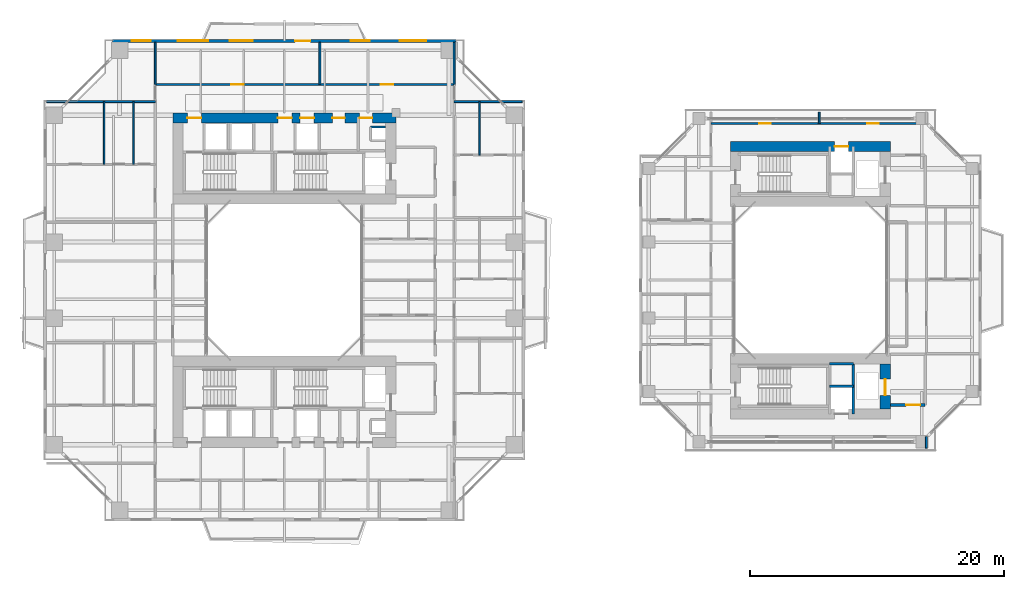
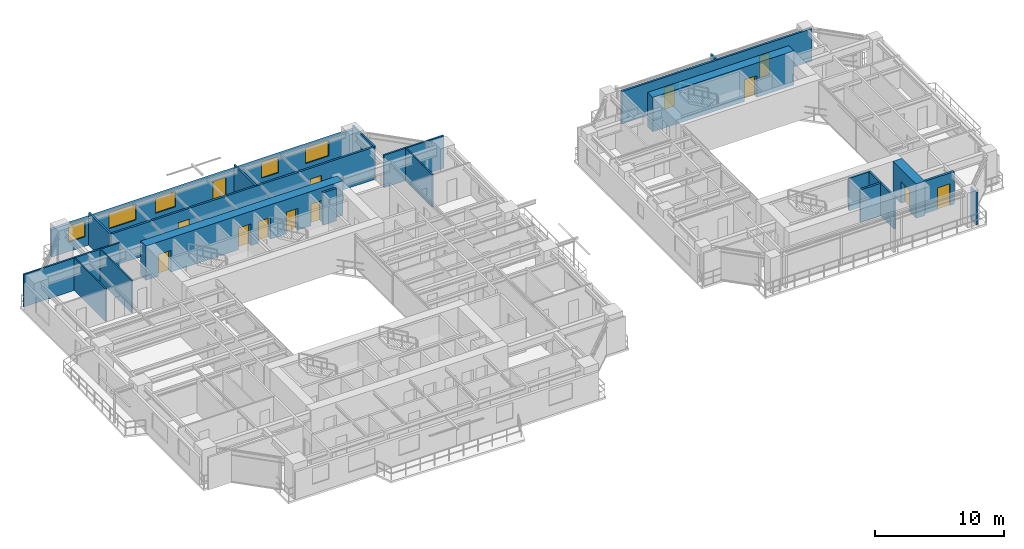
# One storey, part 17 of 24: 21 walls, 13 doors, 5 windows, 18 openings.
"""IFC4 building model written with IfcOpenShell, lengths in metres."""

from ifc_helpers import new_model, si_unit, direction, frame, frame_2d, origin, place, context, subcontext, project, spatial, rectangle, extrude, source, transform, mapped, material, layer, layer_set, type_object, element, fill, save


model = new_model("IFC4")

# Units and contexts
model_context = context("Model", 3, precision=1e-05, world=origin(), true_north=direction((0.0, 1.0)))
body_context = subcontext(model_context, "Body", "Model", "MODEL_VIEW")
ifc_project = project(units=[si_unit("LENGTHUNIT", "METRE"), si_unit("AREAUNIT", "SQUARE_METRE"), si_unit("VOLUMEUNIT", "CUBIC_METRE"), si_unit("PLANEANGLEUNIT", "RADIAN"), si_unit("MASSUNIT", "GRAM", prefix="KILO"), si_unit("THERMODYNAMICTEMPERATUREUNIT", "KELVIN"), si_unit("POWERUNIT", "WATT")], contexts=[model_context])

# Site, building, storey
site_placement = place(None, origin())
site = spatial("IfcSite", under=ifc_project, at=site_placement, CompositionType="ELEMENT")
building_placement = place(site_placement, origin())
building = spatial("IfcBuilding", under=site, at=building_placement, Name="Qiaomeng Ring Towers", CompositionType="ELEMENT")
storey_placement = place(building_placement, frame((0.0, 0.0, 56.75)))
storey = spatial("IfcBuildingStorey", under=building, at=storey_placement, Name="L15", CompositionType="ELEMENT", Elevation=56.75)

# Wall, openings, windows, door
ifc_material_1 = material(Name="Precast concrete C40", Category="concrete")
ifc_layer_1 = layer(ifc_material_1, 0.25, Name="Precast concrete C40")
ifc_layer_set_1 = layer_set([ifc_layer_1], Name="Precast concrete C40")
wall_type_1 = type_object("IfcWallType", Name="ARC-WL-EW1", PredefinedType="STANDARD", material=ifc_layer_set_1)
wall_1_placement = place(storey_placement, frame((5.449951171875, 41.875, 0.0), z_axis=(0.0, 0.0, 1.0), x_axis=(1.0, 0.0, 0.0)))
wall_1 = element("IfcWall", 1, at=wall_1_placement, inside=storey, type_object=wall_type_1, Name="L15 Tower 1 N Exterior Wall", PredefinedType="STANDARD", context=body_context, shape_type="SweptSolid", body=[
    extrude(rectangle(XDim=27.10009765625, YDim=0.25, at=frame_2d((13.550048828125, 0.0))), origin(), (0.0, 0.0, 1.0), 2.610107421875),
])
opening_1_placement = place(wall_1_placement, frame((14.39990234375, 0.0, 0.0)))
opening_1 = element("IfcOpeningElement", 2, at=opening_1_placement, cuts=wall_1, Name="Opening BD1", PredefinedType="OPENING", context=body_context, shape_type="SweptSolid", body=[
    extrude(rectangle(XDim=1.199951171875, YDim=2.10009765625, at=frame_2d((0.60009765625, 1.050048828125))), frame((0.0, 0.135009765625, 0.0), z_axis=(0.0, -1.0, 0.0), x_axis=(1.0, 0.0, 0.0)), (0.0, 0.0, 1.0), 0.27001953125),
])
opening_2_placement = place(wall_1_placement, frame((1.5, 0.0, 0.89990234375)))
opening_2 = element("IfcOpeningElement", 3, at=opening_2_placement, cuts=wall_1, Name="Opening WN2", PredefinedType="OPENING", context=body_context, shape_type="SweptSolid", body=[
    extrude(rectangle(XDim=1.5, YDim=1.5, at=frame_2d((0.75, 0.75))), frame((0.0, 0.135009765625, 0.0), z_axis=(0.0, -1.0, 0.0), x_axis=(1.0, 0.0, 0.0)), (0.0, 0.0, 1.0), 0.27001953125),
])
opening_3_placement = place(wall_1_placement, frame((9.262939453125, 0.0, 0.89990234375)))
opening_3 = element("IfcOpeningElement", 4, at=opening_3_placement, cuts=wall_1, Name="Opening WN1", PredefinedType="OPENING", context=body_context, shape_type="SweptSolid", body=[
    extrude(rectangle(XDim=1.800048828125, YDim=1.449951171875, at=frame_2d((0.89990234375, 0.72509765625))), frame((0.0, 0.135009765625, 0.0), z_axis=(0.0, -1.0, 0.0), x_axis=(1.0, 0.0, 0.0)), (0.0, 0.0, 1.0), 0.27001953125),
])
opening_4_placement = place(wall_1_placement, frame((18.77392578125, 0.0, 0.89990234375)))
opening_4 = element("IfcOpeningElement", 5, at=opening_4_placement, cuts=wall_1, Name="Opening WN2", PredefinedType="OPENING", context=body_context, shape_type="SweptSolid", body=[
    extrude(rectangle(XDim=1.5, YDim=1.5, at=frame_2d((0.75, 0.75))), frame((0.0, 0.135009765625, 0.0), z_axis=(0.0, -1.0, 0.0), x_axis=(1.0, 0.0, 0.0)), (0.0, 0.0, 1.0), 0.27001953125),
])
opening_5_placement = place(wall_1_placement, frame((22.6630859375, 0.0, 0.89990234375)))
opening_5 = element("IfcOpeningElement", 6, at=opening_5_placement, cuts=wall_1, Name="Opening WN4", PredefinedType="OPENING", context=body_context, shape_type="SweptSolid", body=[
    extrude(rectangle(XDim=2.10009765625, YDim=1.47998046875, at=frame_2d((1.050048828125, 0.739990234375))), frame((0.0, 0.135009765625, 0.0), z_axis=(0.0, -1.0, 0.0), x_axis=(1.0, 0.0, 0.0)), (0.0, 0.0, 1.0), 0.27001953125),
])
opening_6_placement = place(wall_1_placement, frame((5.134033203125, 0.0, 0.89990234375)))
opening_6 = element("IfcOpeningElement", 7, at=opening_6_placement, cuts=wall_1, Name="Opening WN6", PredefinedType="OPENING", context=body_context, shape_type="SweptSolid", body=[
    extrude(rectangle(XDim=2.39990234375, YDim=1.5, at=frame_2d((1.199951171875, 0.75))), frame((0.0, 0.135009765625, 0.0), z_axis=(0.0, -1.0, 0.0), x_axis=(1.0, 0.0, 0.0)), (0.0, 0.0, 1.0), 0.27001953125),
])
ifc_material_2 = material(Name="Low-E dark-grey laminated double glazing", Category="glass")
window_type_1 = type_object("IfcWindowType", Name="ARC-WN-4", PartitioningType="TRIPLE_PANEL_VERTICAL", PredefinedType="WINDOW", material=ifc_material_2)
shared_shape_1 = source(origin(), body_context, "Body", "SweptSolid", [
    extrude(rectangle(XDim=2.10009765625, YDim=1.47998046875, at=frame_2d((1.050048828125, 0.739990234375))), frame((0.0, 0.030029296875, 0.0), z_axis=(0.0, -1.0, 0.0), x_axis=(1.0, 0.0, 0.0)), (0.0, 0.0, 1.0), 0.06005859375),
])
window_1_placement = place(opening_5_placement, origin())
window_1 = element("IfcWindow", 8, at=window_1_placement, inside=storey, type_object=window_type_1, Name="L15 Exterior Window WN4", OverallHeight=1.47998046875, OverallWidth=2.10009765625, PartitioningType="TRIPLE_PANEL_VERTICAL", PredefinedType="WINDOW", context=body_context, shape_type="MappedRepresentation", body=[
    mapped(shared_shape_1, transform((0.0, 0.0, 0.0), x_axis=(1.0, 0.0, 0.0), y_axis=(0.0, 1.0, 0.0), z_axis=(0.0, 0.0, 1.0), scale=1.0)),
])
fill(opening_5, window_1)
window_type_2 = type_object("IfcWindowType", Name="ARC-WN-1", PartitioningType="DOUBLE_PANEL_VERTICAL", PredefinedType="WINDOW", material=ifc_material_2)
shared_shape_2 = source(origin(), body_context, "Body", "SweptSolid", [
    extrude(rectangle(XDim=1.800048828125, YDim=1.449951171875, at=frame_2d((0.89990234375, 0.72509765625))), frame((0.0, 0.030029296875, 0.0), z_axis=(0.0, -1.0, 0.0), x_axis=(1.0, 0.0, 0.0)), (0.0, 0.0, 1.0), 0.06005859375),
])
window_2_placement = place(opening_3_placement, origin())
window_2 = element("IfcWindow", 9, at=window_2_placement, inside=storey, type_object=window_type_2, Name="L15 Exterior Window WN1", OverallHeight=1.449951171875, OverallWidth=1.800048828125, PartitioningType="DOUBLE_PANEL_VERTICAL", PredefinedType="WINDOW", context=body_context, shape_type="MappedRepresentation", body=[
    mapped(shared_shape_2, transform((0.0, 0.0, 0.0), x_axis=(1.0, 0.0, 0.0), y_axis=(0.0, 1.0, 0.0), z_axis=(0.0, 0.0, 1.0), scale=1.0)),
])
fill(opening_3, window_2)
door_type_1 = type_object("IfcDoorType", Name="ARC-DR-BD1", OperationType="NOTDEFINED", PredefinedType="DOOR", material=ifc_material_2)
shared_shape_3 = source(origin(), body_context, "Body", "SweptSolid", [
    extrude(rectangle(XDim=1.199951171875, YDim=2.10009765625, at=frame_2d((0.60009765625, 1.050048828125))), frame((0.0, 0.02490234375, 0.0), z_axis=(0.0, -1.0, 0.0), x_axis=(1.0, 0.0, 0.0)), (0.0, 0.0, 1.0), 0.050048828125),
])
door_1_placement = place(opening_1_placement, origin())
door_1 = element("IfcDoor", 10, at=door_1_placement, inside=storey, type_object=door_type_1, Name="L15 N Balcony Glazed Door", OperationType="SINGLE_SWING_LEFT", OverallHeight=2.10009765625, OverallWidth=1.199951171875, PredefinedType="DOOR", context=body_context, shape_type="MappedRepresentation", body=[
    mapped(shared_shape_3, transform((0.0, 0.0, 0.0), x_axis=(1.0, 0.0, 0.0), y_axis=(0.0, 1.0, 0.0), z_axis=(0.0, 0.0, 1.0), scale=1.0)),
])
fill(opening_1, door_1)
window_type_3 = type_object("IfcWindowType", Name="ARC-WN-2", PartitioningType="DOUBLE_PANEL_VERTICAL", PredefinedType="WINDOW", material=ifc_material_2)
shared_shape_4 = source(origin(), body_context, "Body", "SweptSolid", [
    extrude(rectangle(XDim=1.5, YDim=1.5, at=frame_2d((0.75, 0.75))), frame((0.0, 0.030029296875, 0.0), z_axis=(0.0, -1.0, 0.0), x_axis=(1.0, 0.0, 0.0)), (0.0, 0.0, 1.0), 0.06005859375),
])
window_3_placement = place(opening_2_placement, origin())
window_3 = element("IfcWindow", 11, at=window_3_placement, inside=storey, type_object=window_type_3, Name="L15 Exterior Window WN6", OverallHeight=1.5, OverallWidth=1.5, PartitioningType="TRIPLE_PANEL_VERTICAL", PredefinedType="WINDOW", context=body_context, shape_type="MappedRepresentation", body=[
    mapped(shared_shape_4, transform((0.0, 0.0, 0.0), x_axis=(1.0, 0.0, 0.0), y_axis=(0.0, 1.0, 0.0), z_axis=(0.0, 0.0, 1.0), scale=1.0)),
])
fill(opening_2, window_3)
window_4_placement = place(opening_4_placement, origin())
window_4 = element("IfcWindow", 12, at=window_4_placement, inside=storey, type_object=window_type_3, Name="L15 Exterior Window WN2", OverallHeight=1.5, OverallWidth=1.5, PartitioningType="DOUBLE_PANEL_VERTICAL", PredefinedType="WINDOW", context=body_context, shape_type="MappedRepresentation", body=[
    mapped(shared_shape_4, transform((0.0, 0.0, 0.0), x_axis=(1.0, 0.0, 0.0), y_axis=(0.0, 1.0, 0.0), z_axis=(0.0, 0.0, 1.0), scale=1.0)),
])
fill(opening_4, window_4)
window_type_4 = type_object("IfcWindowType", Name="ARC-WN-6", PartitioningType="TRIPLE_PANEL_VERTICAL", PredefinedType="WINDOW", material=ifc_material_2)
shared_shape_5 = source(origin(), body_context, "Body", "SweptSolid", [
    extrude(rectangle(XDim=2.39990234375, YDim=1.5, at=frame_2d((1.199951171875, 0.75))), frame((0.0, 0.030029296875, 0.0), z_axis=(0.0, -1.0, 0.0), x_axis=(1.0, 0.0, 0.0)), (0.0, 0.0, 1.0), 0.06005859375),
])
window_5_placement = place(opening_6_placement, origin())
window_5 = element("IfcWindow", 13, at=window_5_placement, inside=storey, type_object=window_type_4, Name="L15 Exterior Window WN6", OverallHeight=1.5, OverallWidth=2.39990234375, PartitioningType="TRIPLE_PANEL_VERTICAL", PredefinedType="WINDOW", context=body_context, shape_type="MappedRepresentation", body=[
    mapped(shared_shape_5, transform((0.0, 0.0, 0.0), x_axis=(1.0, 0.0, 0.0), y_axis=(0.0, 1.0, 0.0), z_axis=(0.0, 0.0, 1.0), scale=1.0)),
])
fill(opening_6, window_5)

# Wall, opening, door
ifc_material_3 = material(Name="Autoclaved aerated concrete block", Category="concrete")
ifc_layer_2 = layer(ifc_material_3, 0.199951171875, Name="Autoclaved aerated concrete block")
ifc_layer_set_2 = layer_set([ifc_layer_2], Name="Autoclaved aerated concrete block")
wall_type_2 = type_object("IfcWallType", Name="ARC-WL-PW1", PredefinedType="PARTITIONING", material=ifc_layer_set_2)
wall_2_placement = place(storey_placement, frame((66.800048828125, 13.14990234375, 0.0), z_axis=(0.0, 0.0, 1.0), x_axis=(1.0, 0.0, 0.0)))
wall_2 = element("IfcWall", 14, at=wall_2_placement, inside=storey, type_object=wall_type_2, Name="L15 Interior Wall PW1", PredefinedType="PARTITIONING", context=body_context, shape_type="SweptSolid", body=[
    extrude(rectangle(XDim=2.75, YDim=0.199951171875, at=frame_2d((1.375, 0.0))), origin(), (0.0, 0.0, 1.0), 3.070068359375),
])
opening_7_placement = place(wall_2_placement, frame((1.25, 0.0, 0.0)))
opening_7 = element("IfcOpeningElement", 15, at=opening_7_placement, cuts=wall_2, Name="Opening FD3", PredefinedType="OPENING", context=body_context, shape_type="SweptSolid", body=[
    extrude(rectangle(XDim=1.10009765625, YDim=2.050048828125, at=frame_2d((0.550048828125, 1.02490234375))), frame((0.0, 0.10986328125, 0.0), z_axis=(0.0, -1.0, 0.0), x_axis=(1.0, 0.0, 0.0)), (0.0, 0.0, 1.0), 0.219970703125),
])
ifc_material_4 = material(Name="Galvanised steel", Category="steel")
door_type_2 = type_object("IfcDoorType", Name="ARC-DR-FD3", OperationType="NOTDEFINED", PredefinedType="DOOR", material=ifc_material_4)
shared_shape_6 = source(origin(), body_context, "Body", "SweptSolid", [
    extrude(rectangle(XDim=1.10009765625, YDim=2.050048828125, at=frame_2d((0.550048828125, 1.02490234375))), frame((0.0, 0.02490234375, 0.0), z_axis=(0.0, -1.0, 0.0), x_axis=(1.0, 0.0, 0.0)), (0.0, 0.0, 1.0), 0.050048828125),
])
door_2_placement = place(opening_7_placement, origin())
door_2 = element("IfcDoor", 16, at=door_2_placement, inside=storey, type_object=door_type_2, Name="L15 Door FD3", OperationType="SINGLE_SWING_RIGHT", OverallHeight=2.050048828125, OverallWidth=1.10009765625, PredefinedType="DOOR", context=body_context, shape_type="MappedRepresentation", body=[
    mapped(shared_shape_6, transform((0.0, 0.0, 0.0), x_axis=(1.0, 0.0, 0.0), y_axis=(0.0, 1.0, 0.0), z_axis=(0.0, 0.0, 1.0), scale=1.0)),
])
fill(opening_7, door_2)

# Wall, openings, doors
ifc_layer_3 = layer(ifc_material_3, 0.179931640625, Name="Autoclaved aerated concrete block")
ifc_layer_set_3 = layer_set([ifc_layer_3], Name="Autoclaved aerated concrete block")
wall_type_3 = type_object("IfcWallType", Name="ARC-WL-PW2", PredefinedType="PARTITIONING", material=ifc_layer_set_3)
wall_3_placement = place(storey_placement, frame((8.820068359375, 38.43994140625, 0.0), z_axis=(0.0, 0.0, 1.0), x_axis=(1.0, 0.0, 0.0)))
wall_3 = element("IfcWall", 17, at=wall_3_placement, inside=storey, type_object=wall_type_3, Name="L15 Interior Wall PW2", PredefinedType="PARTITIONING", context=body_context, shape_type="SweptSolid", body=[
    extrude(rectangle(XDim=23.579833984375, YDim=0.179931640625, at=frame_2d((11.7900390625, 0.0))), origin(), (0.0, 0.0, 1.0), 3.070068359375),
])
opening_8_placement = place(wall_3_placement, frame((5.989990234375, 0.0, 0.0)))
opening_8 = element("IfcOpeningElement", 18, at=opening_8_placement, cuts=wall_3, Name="Opening FD4", PredefinedType="OPENING", context=body_context, shape_type="SweptSolid", body=[
    extrude(rectangle(XDim=1.0, YDim=2.050048828125, at=frame_2d((0.5, 1.02490234375))), frame((0.0, 0.099853515625, 0.0), z_axis=(0.0, -1.0, 0.0), x_axis=(1.0, 0.0, 0.0)), (0.0, 0.0, 1.0), 0.199951171875),
])
opening_9_placement = place(wall_3_placement, frame((17.780029296875, 0.0, 0.0)))
opening_9 = element("IfcOpeningElement", 19, at=opening_9_placement, cuts=wall_3, Name="Opening FD4", PredefinedType="OPENING", context=body_context, shape_type="SweptSolid", body=[
    extrude(rectangle(XDim=1.0, YDim=2.050048828125, at=frame_2d((0.5, 1.02490234375))), frame((0.0, 0.099853515625, 0.0), z_axis=(0.0, -1.0, 0.0), x_axis=(1.0, 0.0, 0.0)), (0.0, 0.0, 1.0), 0.199951171875),
])
ifc_material_5 = material(Name="Engineered fire-rated oak timber", Category="wood")
door_type_3 = type_object("IfcDoorType", Name="ARC-DR-FD4", OperationType="NOTDEFINED", PredefinedType="DOOR", material=ifc_material_5)
shared_shape_7 = source(origin(), body_context, "Body", "SweptSolid", [
    extrude(rectangle(XDim=1.0, YDim=2.050048828125, at=frame_2d((0.5, 1.02490234375))), frame((0.0, 0.02490234375, 0.0), z_axis=(0.0, -1.0, 0.0), x_axis=(1.0, 0.0, 0.0)), (0.0, 0.0, 1.0), 0.050048828125),
])
door_3_placement = place(opening_8_placement, origin())
door_3 = element("IfcDoor", 20, at=door_3_placement, inside=storey, type_object=door_type_3, Name="L15 Door FD4", OperationType="SINGLE_SWING_RIGHT", OverallHeight=2.050048828125, OverallWidth=1.0, PredefinedType="DOOR", context=body_context, shape_type="MappedRepresentation", body=[
    mapped(shared_shape_7, transform((0.0, 0.0, 0.0), x_axis=(1.0, 0.0, 0.0), y_axis=(0.0, 1.0, 0.0), z_axis=(0.0, 0.0, 1.0), scale=1.0)),
])
fill(opening_8, door_3)
door_4_placement = place(opening_9_placement, origin())
door_4 = element("IfcDoor", 21, at=door_4_placement, inside=storey, type_object=door_type_3, Name="L15 Door FD4", OperationType="SINGLE_SWING_LEFT", OverallHeight=2.050048828125, OverallWidth=1.0, PredefinedType="DOOR", context=body_context, shape_type="MappedRepresentation", body=[
    mapped(shared_shape_7, transform((0.0, 0.0, 0.0), x_axis=(1.0, 0.0, 0.0), y_axis=(0.0, 1.0, 0.0), z_axis=(0.0, 0.0, 1.0), scale=1.0)),
])
fill(opening_9, door_4)

wall_4_placement = place(storey_placement, frame((52.64990234375, 35.35009765625, 0.0), z_axis=(0.0, 0.0, 1.0), x_axis=(1.0, 0.0, 0.0)))
wall_4 = element("IfcWall", 22, at=wall_4_placement, inside=storey, type_object=wall_type_3, Name="L15 Interior Wall PW2", PredefinedType="PARTITIONING", context=body_context, shape_type="SweptSolid", body=[
    extrude(rectangle(XDim=17.0, YDim=0.179931640625, at=frame_2d((8.5, 0.0))), origin(), (0.0, 0.0, 1.0), 3.070068359375),
])
opening_10_placement = place(wall_4_placement, frame((3.824951171875, 0.0, 0.0)))
opening_10 = element("IfcOpeningElement", 23, at=opening_10_placement, cuts=wall_4, Name="Opening ID1", PredefinedType="OPENING", context=body_context, shape_type="SweptSolid", body=[
    extrude(rectangle(XDim=0.89990234375, YDim=2.050048828125, at=frame_2d((0.449951171875, 1.02490234375))), frame((0.0, 0.099853515625, 0.0), z_axis=(0.0, -1.0, 0.0), x_axis=(1.0, 0.0, 0.0)), (0.0, 0.0, 1.0), 0.199951171875),
])
opening_11_placement = place(wall_4_placement, frame((12.324951171875, 0.0, 0.0)))
opening_11 = element("IfcOpeningElement", 24, at=opening_11_placement, cuts=wall_4, Name="Opening ID1", PredefinedType="OPENING", context=body_context, shape_type="SweptSolid", body=[
    extrude(rectangle(XDim=0.89990234375, YDim=2.050048828125, at=frame_2d((0.449951171875, 1.02490234375))), frame((0.0, 0.099853515625, 0.0), z_axis=(0.0, -1.0, 0.0), x_axis=(1.0, 0.0, 0.0)), (0.0, 0.0, 1.0), 0.199951171875),
])
ifc_material_6 = material(Name="Engineered oak timber", Category="wood")
door_type_4 = type_object("IfcDoorType", Name="ARC-DR-ID1", OperationType="NOTDEFINED", PredefinedType="DOOR", material=ifc_material_6)
shared_shape_8 = source(origin(), body_context, "Body", "SweptSolid", [
    extrude(rectangle(XDim=0.89990234375, YDim=2.050048828125, at=frame_2d((0.449951171875, 1.02490234375))), frame((0.0, 0.02490234375, 0.0), z_axis=(0.0, -1.0, 0.0), x_axis=(1.0, 0.0, 0.0)), (0.0, 0.0, 1.0), 0.050048828125),
])
door_5_placement = place(opening_10_placement, origin())
door_5 = element("IfcDoor", 25, at=door_5_placement, inside=storey, type_object=door_type_4, Name="L15 Door ID1", OperationType="SINGLE_SWING_RIGHT", OverallHeight=2.050048828125, OverallWidth=0.89990234375, PredefinedType="DOOR", context=body_context, shape_type="MappedRepresentation", body=[
    mapped(shared_shape_8, transform((0.0, 0.0, 0.0), x_axis=(1.0, 0.0, 0.0), y_axis=(0.0, 1.0, 0.0), z_axis=(0.0, 0.0, 1.0), scale=1.0)),
])
fill(opening_10, door_5)
door_6_placement = place(opening_11_placement, origin())
door_6 = element("IfcDoor", 26, at=door_6_placement, inside=storey, type_object=door_type_4, Name="L15 Door ID1", OperationType="SINGLE_SWING_LEFT", OverallHeight=2.050048828125, OverallWidth=0.89990234375, PredefinedType="DOOR", context=body_context, shape_type="MappedRepresentation", body=[
    mapped(shared_shape_8, transform((0.0, 0.0, 0.0), x_axis=(1.0, 0.0, 0.0), y_axis=(0.0, 1.0, 0.0), z_axis=(0.0, 0.0, 1.0), scale=1.0)),
])
fill(opening_11, door_6)

# Walls
ifc_material_7 = material(Name="Gypsum fireboard steel-stud partition", Category="steel")
ifc_layer_4 = layer(ifc_material_7, 0.14990234375, Name="Gypsum fireboard steel-stud partition")
ifc_layer_set_4 = layer_set([ifc_layer_4], Name="Gypsum fireboard steel-stud partition")
wall_type_4 = type_object("IfcWallType", Name="ARC-WL-PW3", PredefinedType="PARTITIONING", material=ifc_layer_set_4)
for number, where, z_axis, x_axis, name in (
    (27, (21.800048828125, 38.43994140625, 0.0), (0.0, 0.0, 1.0), (0.0, 1.0, 0.0), "L15 Interior Wall PW3"),
    (28, (8.820068359375, 38.43994140625, 0.0), (0.0, 0.0, 1.0), (0.0, 1.0, 0.0), "L15 Interior Wall PW3"),
    (29, (32.39990234375, 38.43994140625, 0.0), (0.0, 0.0, 1.0), (0.0, 1.0, 0.0), "L15 Interior Wall PW3"),
):
    element("IfcWall", number, at=place(storey_placement, frame(where, z_axis=z_axis, x_axis=x_axis)), inside=storey, type_object=wall_type_4, Name=name, PredefinedType="PARTITIONING", context=body_context, shape_type="SweptSolid", body=[
        extrude(rectangle(XDim=3.31005859375, YDim=0.14990234375, at=frame_2d((1.655029296875, 0.0))), origin(), (0.0, 0.0, 1.0), 3.070068359375),
    ])
wall_5_placement = place(storey_placement, frame((0.25, 37.080078125, 0.0), z_axis=(0.0, 0.0, 1.0), x_axis=(1.0, 0.0, 0.0)))
element("IfcWall", 30, at=wall_5_placement, inside=storey, type_object=wall_type_4, Name="L15 Interior Wall PW3", PredefinedType="PARTITIONING", context=body_context, shape_type="SweptSolid", body=[
    extrude(rectangle(XDim=8.570068359375, YDim=0.14990234375, at=frame_2d((4.28515625, 0.0))), origin(), (0.0, 0.0, 1.0), 3.070068359375),
])
wall_6_placement = place(storey_placement, frame((32.39990234375, 37.080078125, 0.0), z_axis=(0.0, 0.0, 1.0), x_axis=(1.0, 0.0, 0.0)))
element("IfcWall", 31, at=wall_6_placement, inside=storey, type_object=wall_type_4, Name="L15 Interior Wall PW3", PredefinedType="PARTITIONING", context=body_context, shape_type="SweptSolid", body=[
    extrude(rectangle(XDim=5.35009765625, YDim=0.14990234375, at=frame_2d((2.675048828125, 0.0))), origin(), (0.0, 0.0, 1.0), 3.070068359375),
])
for number, where, z_axis, x_axis, name in (
    (32, (61.199951171875, 35.35009765625, 0.0), (0.0, 0.0, 1.0), (0.0, 1.0, 0.0), "L15 Interior Wall PW3"),
    (33, (69.64990234375, 9.75, 0.0), (0.0, 0.0, 1.0), (0.0, 1.0, 0.0), "L15 Interior Wall PW3"),
):
    element("IfcWall", number, at=place(storey_placement, frame(where, z_axis=z_axis, x_axis=x_axis)), inside=storey, type_object=wall_type_4, Name=name, PredefinedType="PARTITIONING", context=body_context, shape_type="SweptSolid", body=[
        extrude(rectangle(XDim=0.89990234375, YDim=0.14990234375, at=frame_2d((0.449951171875, 0.0))), origin(), (0.0, 0.0, 1.0), 3.070068359375),
    ])
ifc_material_8 = material(Name="Moisture-resistant gypsum steel-stud partition", Category="steel")
ifc_layer_5 = layer(ifc_material_8, 0.1201171875, Name="Moisture-resistant gypsum steel-stud partition")
ifc_layer_set_5 = layer_set([ifc_layer_5], Name="Moisture-resistant gypsum steel-stud partition")
wall_type_5 = type_object("IfcWallType", Name="ARC-WL-PW4", PredefinedType="PLUMBINGWALL", material=ifc_layer_set_5)
for number, where, z_axis, x_axis, name in (
    (34, (4.780029296875, 32.139892578125, 0.0), (0.0, 0.0, 1.0), (0.0, 1.0, 0.0), "L15 Interior Wall PW4"),
    (35, (7.10009765625, 32.139892578125, 0.0), (0.0, 0.0, 1.0), (0.0, 1.0, 0.0), "L15 Interior Wall PW4"),
):
    element("IfcWall", number, at=place(storey_placement, frame(where, z_axis=z_axis, x_axis=x_axis)), inside=storey, type_object=wall_type_5, Name=name, PredefinedType="PLUMBINGWALL", context=body_context, shape_type="SweptSolid", body=[
        extrude(rectangle(XDim=4.940185546875, YDim=0.1201171875, at=frame_2d((2.47021484375, 0.0))), origin(), (0.0, 0.0, 1.0), 3.070068359375),
    ])
wall_7_placement = place(storey_placement, frame((34.3798828125, 32.8701171875, 0.0), z_axis=(0.0, 0.0, 1.0), x_axis=(0.0, 1.0, 0.0)))
element("IfcWall", 36, at=wall_7_placement, inside=storey, type_object=wall_type_5, Name="L15 Interior Wall PW4", PredefinedType="PLUMBINGWALL", context=body_context, shape_type="SweptSolid", body=[
    extrude(rectangle(XDim=4.2099609375, YDim=0.1201171875, at=frame_2d((2.10498046875, 0.0))), origin(), (0.0, 0.0, 1.0), 3.070068359375),
])
ifc_material_9 = material(Name="Concrete C40", Category="concrete")
ifc_layer_6 = layer(ifc_material_9, 0.199951171875, Name="Concrete C40")
ifc_layer_set_6 = layer_set([ifc_layer_6], Name="Concrete C40")
wall_type_6 = type_object("IfcWallType", Name="STR-WL-STSHAFT", PredefinedType="SHEAR", material=ifc_layer_set_6)
wall_8_placement = place(storey_placement, frame((25.800048828125, 35.080078125, 0.0), z_axis=(0.0, 0.0, 1.0), x_axis=(1.0, 0.0, 0.0)))
element("IfcWall", 37, at=wall_8_placement, inside=storey, type_object=wall_type_6, Name="L15 Riser RSR1 North Shaft Wall N", PredefinedType="SHEAR", context=body_context, shape_type="SweptSolid", body=[
    extrude(rectangle(XDim=1.199951171875, YDim=0.179931640625, at=frame_2d((0.60009765625, 0.0))), origin(), (0.0, 0.0, 1.0), 3.070068359375),
])
wall_9_placement = place(storey_placement, frame((63.8798828125, 12.449951171875, 0.0), z_axis=(0.0, 0.0, 1.0), x_axis=(0.0, 1.0, 0.0)))
element("IfcWall", 38, at=wall_9_placement, inside=storey, type_object=wall_type_6, Name="L15 Companion Lift Shaft East Wall S", PredefinedType="SHEAR", context=body_context, shape_type="SweptSolid", body=[
    extrude(rectangle(XDim=3.949951171875, YDim=0.179931640625, at=frame_2d((1.97509765625, 0.0))), origin(), (0.0, 0.0, 1.0), 3.070068359375),
])
for number, where, z_axis, x_axis, name in (
    (39, (62.02001953125, 14.6201171875, 0.0), (0.0, 0.0, 1.0), (1.0, 0.0, 0.0), "L15 Companion Lift Shaft Divider Wall S"),
    (40, (62.02001953125, 16.39990234375, 0.0), (0.0, 0.0, 1.0), (1.0, 0.0, 0.0), "L15 Companion Riser Shaft Back Wall S"),
):
    element("IfcWall", number, at=place(storey_placement, frame(where, z_axis=z_axis, x_axis=x_axis)), inside=storey, type_object=wall_type_6, Name=name, PredefinedType="SHEAR", context=body_context, shape_type="SweptSolid", body=[
        extrude(rectangle(XDim=1.85986328125, YDim=0.179931640625, at=frame_2d((0.929931640625, 0.0))), origin(), (0.0, 0.0, 1.0), 3.070068359375),
    ])

# Wall, openings, doors
ifc_material_10 = material(Name="Concrete C60", Category="concrete")
ifc_layer_7 = layer(ifc_material_10, 0.800048828125, Name="Concrete C60")
ifc_layer_set_7 = layer_set([ifc_layer_7], Name="Concrete C60")
wall_type_7 = type_object("IfcWallType", Name="STR-WL-SW1", PredefinedType="SHEAR", material=ifc_layer_set_7)
wall_10_placement = place(storey_placement, frame((10.199951171875, 35.800048828125, 0.0), z_axis=(0.0, 0.0, 1.0), x_axis=(1.0, 0.0, 0.0)))
wall_10 = element("IfcWall", 41, at=wall_10_placement, inside=storey, type_object=wall_type_7, Name="L15 T1NC north core shear wall", PredefinedType="SHEAR", context=body_context, shape_type="SweptSolid", body=[
    extrude(rectangle(XDim=17.60009765625, YDim=0.800048828125, at=frame_2d((8.800048828125, 0.0))), origin(), (0.0, 0.0, 1.0), 3.25),
])
opening_12_placement = place(wall_10_placement, frame((1.14990234375, 0.0, 0.0)))
opening_12 = element("IfcOpeningElement", 42, at=opening_12_placement, cuts=wall_10, Name="Opening FD3", PredefinedType="OPENING", context=body_context, shape_type="SweptSolid", body=[
    extrude(rectangle(XDim=1.10009765625, YDim=2.050048828125, at=frame_2d((0.550048828125, 1.02490234375))), frame((0.0, 0.409912109375, 0.0), z_axis=(0.0, -1.0, 0.0), x_axis=(1.0, 0.0, 0.0)), (0.0, 0.0, 1.0), 0.820068359375),
])
opening_13_placement = place(wall_10_placement, frame((8.300048828125, 0.0, 0.0)))
opening_13 = element("IfcOpeningElement", 43, at=opening_13_placement, cuts=wall_10, Name="Opening FD3", PredefinedType="OPENING", context=body_context, shape_type="SweptSolid", body=[
    extrude(rectangle(XDim=1.10009765625, YDim=2.050048828125, at=frame_2d((0.550048828125, 1.02490234375))), frame((0.0, 0.409912109375, 0.0), z_axis=(0.0, -1.0, 0.0), x_axis=(1.0, 0.0, 0.0)), (0.0, 0.0, 1.0), 0.820068359375),
])
opening_14_placement = place(wall_10_placement, frame((10.050048828125, 0.0, 0.0)))
opening_14 = element("IfcOpeningElement", 44, at=opening_14_placement, cuts=wall_10, Name="Opening LD1", PredefinedType="OPENING", context=body_context, shape_type="SweptSolid", body=[
    extrude(rectangle(XDim=1.10009765625, YDim=2.050048828125, at=frame_2d((0.550048828125, 1.02490234375))), frame((0.0, 0.409912109375, 0.0), z_axis=(0.0, -1.0, 0.0), x_axis=(1.0, 0.0, 0.0)), (0.0, 0.0, 1.0), 0.820068359375),
])
opening_15_placement = place(wall_10_placement, frame((14.739990234375, 0.0, 0.0)))
opening_15 = element("IfcOpeningElement", 45, at=opening_15_placement, cuts=wall_10, Name="Opening FD1", PredefinedType="OPENING", context=body_context, shape_type="SweptSolid", body=[
    extrude(rectangle(XDim=1.0, YDim=2.050048828125, at=frame_2d((0.5, 1.02490234375))), frame((0.0, 0.409912109375, 0.0), z_axis=(0.0, -1.0, 0.0), x_axis=(1.0, 0.0, 0.0)), (0.0, 0.0, 1.0), 0.820068359375),
])
opening_16_placement = place(wall_10_placement, frame((12.5849609375, 0.0, 0.0)))
opening_16 = element("IfcOpeningElement", 46, at=opening_16_placement, cuts=wall_10, Name="Opening FD1", PredefinedType="OPENING", context=body_context, shape_type="SweptSolid", body=[
    extrude(rectangle(XDim=1.0, YDim=2.050048828125, at=frame_2d((0.5, 1.02490234375))), frame((0.0, 0.409912109375, 0.0), z_axis=(0.0, -1.0, 0.0), x_axis=(1.0, 0.0, 0.0)), (0.0, 0.0, 1.0), 0.820068359375),
])
door_7_placement = place(opening_12_placement, origin())
door_7 = element("IfcDoor", 47, at=door_7_placement, inside=storey, type_object=door_type_2, Name="L15 Stair ST1 Lobby Door", OperationType="SINGLE_SWING_LEFT", OverallHeight=2.050048828125, OverallWidth=1.10009765625, PredefinedType="DOOR", context=body_context, shape_type="MappedRepresentation", body=[
    mapped(shared_shape_6, transform((0.0, 0.0, 0.0), x_axis=(1.0, 0.0, 0.0), y_axis=(0.0, 1.0, 0.0), z_axis=(0.0, 0.0, 1.0), scale=1.0)),
])
fill(opening_12, door_7)
door_8_placement = place(opening_13_placement, origin())
door_8 = element("IfcDoor", 48, at=door_8_placement, inside=storey, type_object=door_type_2, Name="L15 Stair ST2 Lobby Door", OperationType="SINGLE_SWING_LEFT", OverallHeight=2.050048828125, OverallWidth=1.10009765625, PredefinedType="DOOR", context=body_context, shape_type="MappedRepresentation", body=[
    mapped(shared_shape_6, transform((0.0, 0.0, 0.0), x_axis=(1.0, 0.0, 0.0), y_axis=(0.0, 1.0, 0.0), z_axis=(0.0, 0.0, 1.0), scale=1.0)),
])
fill(opening_13, door_8)
ifc_material_11 = material(Name="Stainless steel 316", Category="steel")
door_type_5 = type_object("IfcDoorType", Name="ARC-DR-LD1", OperationType="NOTDEFINED", PredefinedType="DOOR", material=ifc_material_11)
door_9_placement = place(opening_14_placement, origin())
door_9 = element("IfcDoor", 49, at=door_9_placement, inside=storey, type_object=door_type_5, Name="L15 Low-Zone Lift LP1 Landing Door", OperationType="SLIDING_TO_LEFT", OverallHeight=2.050048828125, OverallWidth=1.10009765625, PredefinedType="DOOR", context=body_context, shape_type="MappedRepresentation", body=[
    mapped(shared_shape_6, transform((0.0, 0.0, 0.0), x_axis=(1.0, 0.0, 0.0), y_axis=(0.0, 1.0, 0.0), z_axis=(0.0, 0.0, 1.0), scale=1.0)),
])
fill(opening_14, door_9)
door_type_6 = type_object("IfcDoorType", Name="ARC-DR-FD1", OperationType="NOTDEFINED", PredefinedType="DOOR", material=ifc_material_4)
door_10_placement = place(opening_15_placement, origin())
door_10 = element("IfcDoor", 50, at=door_10_placement, inside=storey, type_object=door_type_6, Name="L15 North Electrical Riser Door", OperationType="SINGLE_SWING_LEFT", OverallHeight=2.050048828125, OverallWidth=1.0, PredefinedType="DOOR", context=body_context, shape_type="MappedRepresentation", body=[
    mapped(shared_shape_7, transform((0.0, 0.0, 0.0), x_axis=(1.0, 0.0, 0.0), y_axis=(0.0, 1.0, 0.0), z_axis=(0.0, 0.0, 1.0), scale=1.0)),
])
fill(opening_15, door_10)
door_11_placement = place(opening_16_placement, origin())
door_11 = element("IfcDoor", 51, at=door_11_placement, inside=storey, type_object=door_type_6, Name="L15 North Cleaners Store Door", OperationType="SINGLE_SWING_LEFT", OverallHeight=2.050048828125, OverallWidth=1.0, PredefinedType="DOOR", context=body_context, shape_type="MappedRepresentation", body=[
    mapped(shared_shape_7, transform((0.0, 0.0, 0.0), x_axis=(1.0, 0.0, 0.0), y_axis=(0.0, 1.0, 0.0), z_axis=(0.0, 0.0, 1.0), scale=1.0)),
])
fill(opening_16, door_11)

# Wall, opening, door
wall_11_placement = place(storey_placement, frame((54.199951171875, 33.550048828125, 0.0), z_axis=(0.0, 0.0, 1.0), x_axis=(1.0, 0.0, 0.0)))
wall_11 = element("IfcWall", 52, at=wall_11_placement, inside=storey, type_object=wall_type_7, Name="L15 T2NC north core shear wall", PredefinedType="SHEAR", context=body_context, shape_type="SweptSolid", body=[
    extrude(rectangle(XDim=12.60009765625, YDim=0.800048828125, at=frame_2d((6.300048828125, 0.0))), origin(), (0.0, 0.0, 1.0), 3.25),
])
opening_17_placement = place(wall_11_placement, frame((8.199951171875, 0.0, 0.0)))
opening_17 = element("IfcOpeningElement", 53, at=opening_17_placement, cuts=wall_11, Name="Opening LD1", PredefinedType="OPENING", context=body_context, shape_type="SweptSolid", body=[
    extrude(rectangle(XDim=1.10009765625, YDim=2.050048828125, at=frame_2d((0.550048828125, 1.02490234375))), frame((0.0, 0.409912109375, 0.0), z_axis=(0.0, -1.0, 0.0), x_axis=(1.0, 0.0, 0.0)), (0.0, 0.0, 1.0), 0.820068359375),
])
door_12_placement = place(opening_17_placement, origin())
door_12 = element("IfcDoor", 54, at=door_12_placement, inside=storey, type_object=door_type_5, Name="L15 Companion Lift LP7 Landing Door", OperationType="SLIDING_TO_LEFT", OverallHeight=2.050048828125, OverallWidth=1.10009765625, PredefinedType="DOOR", context=body_context, shape_type="MappedRepresentation", body=[
    mapped(shared_shape_6, transform((0.0, 0.0, 0.0), x_axis=(1.0, 0.0, 0.0), y_axis=(0.0, 1.0, 0.0), z_axis=(0.0, 0.0, 1.0), scale=1.0)),
])
fill(opening_17, door_12)

wall_12_placement = place(storey_placement, frame((66.39990234375, 12.85009765625, 0.0), z_axis=(0.0, 0.0, 1.0), x_axis=(0.0, 1.0, 0.0)))
wall_12 = element("IfcWall", 55, at=wall_12_placement, inside=storey, type_object=wall_type_7, Name="L15 T2SC east core shear wall", PredefinedType="SHEAR", context=body_context, shape_type="SweptSolid", body=[
    extrude(rectangle(XDim=3.5498046875, YDim=0.800048828125, at=frame_2d((1.77490234375, 0.0))), origin(), (0.0, 0.0, 1.0), 3.25),
])
opening_18_placement = place(wall_12_placement, frame((1.050048828125, 0.0, 0.0)))
opening_18 = element("IfcOpeningElement", 56, at=opening_18_placement, cuts=wall_12, Name="Opening LD2", PredefinedType="OPENING", context=body_context, shape_type="SweptSolid", body=[
    extrude(rectangle(XDim=1.300048828125, YDim=2.050048828125, at=frame_2d((0.64990234375, 1.02490234375))), frame((0.0, 0.409912109375, 0.0), z_axis=(0.0, -1.0, 0.0), x_axis=(1.0, 0.0, 0.0)), (0.0, 0.0, 1.0), 0.820068359375),
])
door_type_7 = type_object("IfcDoorType", Name="ARC-DR-LD2", OperationType="NOTDEFINED", PredefinedType="DOOR", material=ifc_material_11)
shared_shape_9 = source(origin(), body_context, "Body", "SweptSolid", [
    extrude(rectangle(XDim=1.300048828125, YDim=2.050048828125, at=frame_2d((0.64990234375, 1.02490234375))), frame((0.0, 0.02490234375, 0.0), z_axis=(0.0, -1.0, 0.0), x_axis=(1.0, 0.0, 0.0)), (0.0, 0.0, 1.0), 0.050048828125),
])
door_13_placement = place(opening_18_placement, origin())
door_13 = element("IfcDoor", 57, at=door_13_placement, inside=storey, type_object=door_type_7, Name="L15 Firefighting Lift FL4 Landing Door", OperationType="SLIDING_TO_RIGHT", OverallHeight=2.050048828125, OverallWidth=1.300048828125, PredefinedType="DOOR", context=body_context, shape_type="MappedRepresentation", body=[
    mapped(shared_shape_9, transform((0.0, 0.0, 0.0), x_axis=(1.0, 0.0, 0.0), y_axis=(0.0, 1.0, 0.0), z_axis=(0.0, 0.0, 1.0), scale=1.0)),
])
fill(opening_18, door_13)

save(model, "model.ifc")
